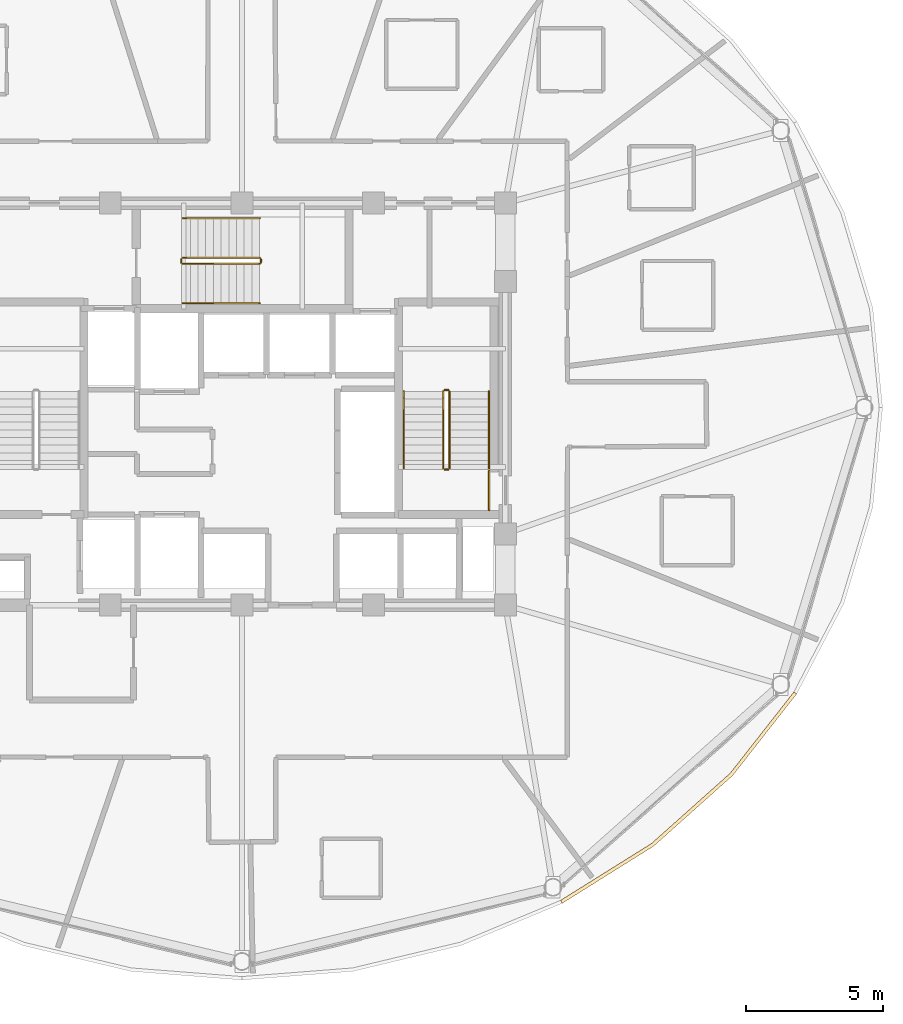
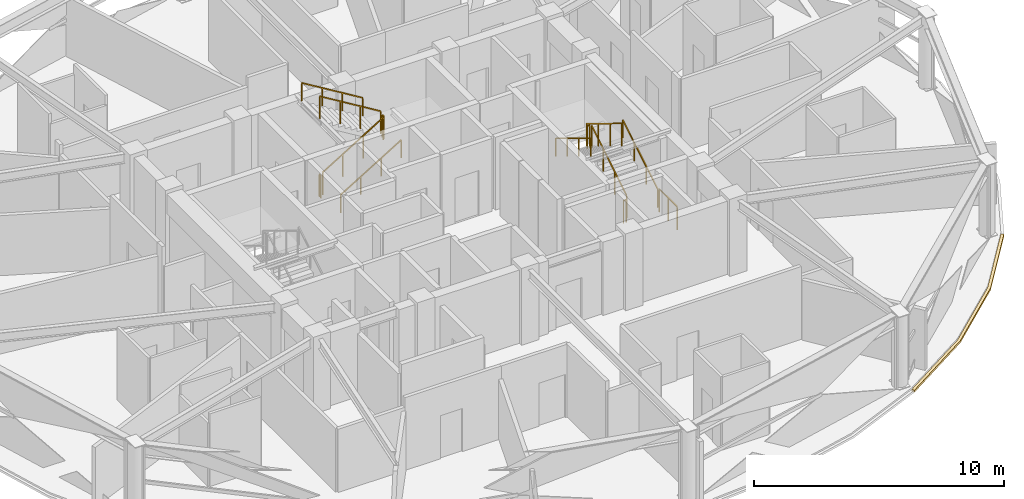
# One storey, part 29 of 30: 13 railings, 1 covering.
"""IFC4 building model written with IfcOpenShell, lengths in metres."""

import ifcopenshell
import ifcopenshell.guid

model = None  # the IFC model being written
_history = None  # IfcOwnerHistory: only IFC2X3 demands one
_inside = {}  # id of a spatial element -> (the spatial element, [elements in it])
_under = {}  # id of a project, library or spatial element -> (it, [spatial elements below it])
_declared = {}  # id of a project -> (the project, [libraries it declares])
_typed = {}  # id of a type object -> (the type object, [elements of that type])
_made_of = {}  # id of a material, layer set ... -> (it, [elements and type objects made of it])


def new_model(schema):
    """Start an empty IFC model of exactly this schema.

    Asked for "IFC4X3", IfcOpenShell would pick the latest addendum, in which some entities
    have other attributes; the version numbers below select the first issue.
    IFC2X3 requires an IfcOwnerHistory on every rooted entity: one is made here for all.
    """
    global model, _history
    if schema == "IFC4X3":
        model = ifcopenshell.file(schema_version=(4, 3, 0, 0))
    else:
        model = ifcopenshell.file(schema=schema)
    _inside.clear()
    _under.clear()
    _declared.clear()
    _typed.clear()
    _made_of.clear()
    _history = None
    if model.schema == "IFC2X3":
        org = make("IfcOrganization", Name="unknown")
        user = make(
            "IfcPersonAndOrganization",
            ThePerson=make("IfcPerson", FamilyName="unknown"),
            TheOrganization=org,
        )
        app = make(
            "IfcApplication",
            ApplicationDeveloper=org,
            Version="unknown",
            ApplicationFullName="unknown",
            ApplicationIdentifier="unknown",
        )
        _history = make(
            "IfcOwnerHistory",
            OwningUser=user,
            OwningApplication=app,
            ChangeAction="ADDED",
            CreationDate=0,
        )
    return model


def make(cls, **values):
    """One entity of the class cls with the attributes given. An attribute that is None is left unset."""
    return model.create_entity(
        cls, **{name: value for name, value in values.items() if value is not None}
    )


def rooted(cls, **values):
    """An entity with a GlobalId (a new one), such as an element, a storey or a relation."""
    return make(cls, GlobalId=ifcopenshell.guid.new(), OwnerHistory=_history, **values)


def si_unit(unit_type, name, prefix=None):
    """IfcSIUnit, for example si_unit("LENGTHUNIT", "METRE", prefix="MILLI")."""
    return make("IfcSIUnit", UnitType=unit_type, Prefix=prefix, Name=name)


def assignment(units):
    """IfcUnitAssignment: the units of a project."""
    return None if units is None else make("IfcUnitAssignment", Units=units)


def point(xyz):
    """IfcCartesianPoint."""
    return None if xyz is None else make("IfcCartesianPoint", Coordinates=xyz)


def direction(xyz):
    """IfcDirection."""
    return None if xyz is None else make("IfcDirection", DirectionRatios=xyz)


def frame(location, z_axis=None, x_axis=None):
    """IfcAxis2Placement3D, a coordinate frame: its origin and axes. An axis left out is left unset."""
    return make(
        "IfcAxis2Placement3D",
        Location=point(location),
        Axis=direction(z_axis),
        RefDirection=direction(x_axis),
    )


def frame_2d(location, x_axis=None):
    """IfcAxis2Placement2D, a coordinate frame in the plane: its origin and x axis."""
    return make(
        "IfcAxis2Placement2D", Location=point(location), RefDirection=direction(x_axis)
    )


def origin():
    """The frame at (0, 0, 0) with its axes left unset."""
    return frame((0.0, 0.0, 0.0))


def origin_2d():
    """The frame at (0, 0) in the plane with its x axis left unset."""
    return frame_2d((0.0, 0.0))


def place(relative_to, where):
    """IfcLocalPlacement: puts the frame where relative to a parent placement (None: the world)."""
    return make(
        "IfcLocalPlacement", PlacementRelTo=relative_to, RelativePlacement=where
    )


def context(
    kind, dimensions, precision=None, world=None, true_north=None, identifier=None
):
    """IfcGeometricRepresentationContext, for example the 3D "Model" context."""
    return make(
        "IfcGeometricRepresentationContext",
        ContextIdentifier=identifier,
        ContextType=kind,
        CoordinateSpaceDimension=dimensions,
        Precision=precision,
        WorldCoordinateSystem=world,
        TrueNorth=true_north,
    )


def subcontext(parent, identifier, kind, view, scale=None):
    """IfcGeometricRepresentationSubContext, for example "Body" below "Model"."""
    return make(
        "IfcGeometricRepresentationSubContext",
        ContextIdentifier=identifier,
        ContextType=kind,
        ParentContext=parent,
        TargetScale=scale,
        TargetView=view,
    )


def project(units=None, contexts=None):
    """IfcProject with its units and contexts."""
    return rooted(
        "IfcProject",
        Name="project",
        RepresentationContexts=contexts,
        UnitsInContext=assignment(units),
    )


def spatial(cls, under=None, at=None, **own):
    """A site, building, storey or space (cls), placed at a placement, below another one or the project."""
    s = rooted(cls, ObjectPlacement=at, **own)
    if under is not None:
        _under.setdefault(under.id(), (under, []))[1].append(s)
    return s


def polyline(points):
    """IfcPolyline through the points."""
    return make("IfcPolyline", Points=[point(p) for p in points])


def profile(cls, at=None, kind="AREA", **sizes):
    """A parametric profile (cls). Its sizes go by their IFC names, for example OverallWidth=200.0."""
    return make(cls, ProfileType=kind, Position=at, **sizes)


def rectangle(**sizes):
    """IfcRectangleProfileDef."""
    return profile("IfcRectangleProfileDef", **sizes)


def outline(outer, holes=None, kind="AREA"):
    """IfcArbitraryClosedProfileDef: a profile drawn as a closed curve; with holes, ...WithVoids."""
    if holes is None:
        return make("IfcArbitraryClosedProfileDef", ProfileType=kind, OuterCurve=outer)
    return make(
        "IfcArbitraryProfileDefWithVoids",
        ProfileType=kind,
        OuterCurve=outer,
        InnerCurves=holes,
    )


def extrude(swept, where, along, depth):
    """IfcExtrudedAreaSolid: the profile swept, set in the frame where, extruded along a direction by depth."""
    return make(
        "IfcExtrudedAreaSolid",
        SweptArea=swept,
        Position=where,
        ExtrudedDirection=direction(along),
        Depth=depth,
    )


def shape(context_of_items, identifier, shape_type, items):
    """IfcShapeRepresentation: the items that make up one representation, for example the "Body"."""
    return make(
        "IfcShapeRepresentation",
        ContextOfItems=context_of_items,
        RepresentationIdentifier=identifier,
        RepresentationType=shape_type,
        Items=items,
    )


def material(Name=None, Category=None):
    """IfcMaterial."""
    return make("IfcMaterial", Name=Name, Category=Category)


def layer(
    of_material, thickness, ventilated=None, Name=None, Category=None, Priority=None
):
    """IfcMaterialLayer: one layer of a wall or slab, of a material (None: an air gap)."""
    return make(
        "IfcMaterialLayer",
        Material=of_material,
        LayerThickness=thickness,
        IsVentilated=ventilated,
        Name=Name,
        Category=Category,
        Priority=Priority,
    )


def layer_set(layers, Name=None):
    """IfcMaterialLayerSet."""
    return make("IfcMaterialLayerSet", MaterialLayers=layers, LayerSetName=Name)


def made_of(thing, what):
    """Note that an element or type object is made of a material, layer set ...; save() writes the relation."""
    if what is not None:
        _made_of.setdefault(what.id(), (what, []))[1].append(thing)
    return thing


def type_object(cls, material=None, **own):
    """A type object (cls), such as IfcWallType, which elements share."""
    return made_of(rooted(cls, **own), material)


def element(
    cls,
    number,
    at=None,
    inside=None,
    cuts=None,
    type_object=None,
    material=None,
    context=None,
    identifier="Body",
    shape_type=None,
    held_by="IfcProductDefinitionShape",
    body=None,
    shapes=None,
    **own,
):
    """One element of the class cls, such as IfcWall. Its Tag is "e" and its number.

    at: its placement. inside: the storey or other place that contains it. cuts: it is an
    opening in that element (IfcRelVoidsElement). A single representation is given by context,
    identifier, shape_type and body (its items); several are given by shapes. held_by: the class
    of the entity that holds the representations. save() writes the other relations.
    """
    e = rooted(cls, Tag="e%d" % number, ObjectPlacement=at, **own)
    if body is not None:
        shapes = [shape(context, identifier, shape_type, body)]
    if shapes is not None:
        e.Representation = make(held_by, Representations=shapes)
    if inside is not None:
        _inside.setdefault(inside.id(), (inside, []))[1].append(e)
    if cuts is not None:
        rooted(
            "IfcRelVoidsElement", RelatingBuildingElement=cuts, RelatedOpeningElement=e
        )
    if type_object is not None:
        _typed.setdefault(type_object.id(), (type_object, []))[1].append(e)
    return made_of(e, material)


def aggregate(whole, parts):
    """IfcRelAggregates: a whole, such as a stair, and the parts it consists of."""
    return rooted("IfcRelAggregates", RelatingObject=whole, RelatedObjects=parts)


def save(model, path):
    """Write the relations noted so far, then the file.

    IfcRelAggregates (storeys below a building ...), IfcRelContainedInSpatialStructure (elements
    in a storey), IfcRelDefinesByType, IfcRelAssociatesMaterial and IfcRelDeclares: one each for
    every whole, place, type object, material and project.
    """
    for whole, parts in _under.values():
        aggregate(whole, parts)
    for where, things in _inside.values():
        rooted(
            "IfcRelContainedInSpatialStructure",
            RelatedElements=things,
            RelatingStructure=where,
        )
    for kind, things in _typed.values():
        rooted("IfcRelDefinesByType", RelatedObjects=things, RelatingType=kind)
    for what, things in _made_of.values():
        rooted("IfcRelAssociatesMaterial", RelatedObjects=things, RelatingMaterial=what)
    for by, libraries in _declared.values():
        rooted("IfcRelDeclares", RelatingContext=by, RelatedDefinitions=libraries)
    model.write(path)


model = new_model("IFC4")

# Units and contexts
model_context = context("Model", 3, precision=1e-05, world=origin(), true_north=direction((0.0, 1.0)))
body_context = subcontext(model_context, "Body", "Model", "MODEL_VIEW")
ifc_project = project(units=[si_unit("LENGTHUNIT", "METRE"), si_unit("AREAUNIT", "SQUARE_METRE"), si_unit("VOLUMEUNIT", "CUBIC_METRE"), si_unit("PLANEANGLEUNIT", "RADIAN"), si_unit("MASSUNIT", "GRAM", prefix="KILO")], contexts=[model_context])

# Site, building, storey
site_placement = place(None, origin())
site = spatial("IfcSite", under=ifc_project, at=site_placement, CompositionType="ELEMENT")
building_placement = place(site_placement, origin())
building = spatial("IfcBuilding", under=site, at=building_placement, Name="Vantalir Tower", CompositionType="ELEMENT")
storey_placement = place(building_placement, frame((0.0, 0.0, 186.14990234375)))
storey = spatial("IfcBuildingStorey", under=building, at=storey_placement, Name="L46", CompositionType="ELEMENT", Elevation=186.14990234375)

# Covering
ifc_material_1 = material(Name="Anodised champagne aluminium sill fascia", Category="aluminium")
ifc_layer = layer(ifc_material_1, 0.125)
ifc_layer_set = layer_set([ifc_layer], Name="Anodised champagne aluminium sill fascia")
covering_type = type_object("IfcCoveringType", Name="COV-SLAB-FASCIA-125", PredefinedType="CLADDING", material=ifc_layer_set)
covering_placement = place(storey_placement, frame((0.0, 0.0, -0.179931640625)))
element("IfcCovering", 1, at=covering_placement, inside=storey, type_object=covering_type, Name="L46 Perimeter Slab-Edge Sill Fascia 11", PredefinedType="CLADDING", context=body_context, shape_type="SweptSolid", body=[
    extrude(outline(polyline([(43.176025390625, 6.931884765625), (46.510009765625, 9.01806640625), (49.387939453125, 11.590087890625), (51.722900390625, 14.568115234375), (51.614013671875, 14.631103515625), (49.2919921875, 11.669921875), (46.428955078125, 9.114013671875), (43.113037109375, 7.0400390625), (43.176025390625, 6.931884765625)])), origin(), (0.0, 0.0, 1.0), 0.10498046875),
])

# Railings
ifc_material_2 = material(Name="Anodised aluminium and stainless steel guard", Category="steel")
railing_type_1 = type_object("IfcRailingType", Name="RAL-GUARD-1120", PredefinedType="GUARDRAIL", material=ifc_material_2)
railing_1_placement = place(storey_placement, frame((39.06005859375, 22.7900390625, 0.170654296875)))
element("IfcRailing", 2, at=railing_1_placement, inside=storey, type_object=railing_type_1, Name="L46 ST2 stair guard 1", PredefinedType="GUARDRAIL", context=body_context, shape_type="SweptSolid", body=[
    extrude(rectangle(XDim=0.048095703125, YDim=0.048095703125, at=origin_2d()), frame((0.0, 0.0, 1.09619140625), z_axis=(0.0, 0.854202870247, 0.519939858505), x_axis=(-1.0, 0.0, 0.0)), (0.0, 0.0, 1.0), 3.278076171875),
    extrude(rectangle(XDim=0.0419921875, YDim=0.0419921875, at=origin_2d()), origin(), (0.0, 0.0, 1.0), 1.072021484375),
    extrude(rectangle(XDim=0.0419921875, YDim=0.0419921875, at=origin_2d()), frame((0.0, 0.933349609375, 0.568115234375)), (0.0, 0.0, 1.0), 1.072021484375),
    extrude(rectangle(XDim=0.0419921875, YDim=0.0419921875, at=origin_2d()), frame((0.0, 1.86669921875, 1.13623046875)), (0.0, 0.0, 1.0), 1.072021484375),
    extrude(rectangle(XDim=0.0419921875, YDim=0.0419921875, at=origin_2d()), frame((0.0, 2.800048828125, 1.704345703125)), (0.0, 0.0, 1.0), 1.072021484375),
])
railing_2_placement = place(storey_placement, frame((39.010009765625, 25.639892578125, 1.875)))
element("IfcRailing", 3, at=railing_2_placement, inside=storey, type_object=railing_type_1, Name="L46 ST2 stair guard 2", PredefinedType="GUARDRAIL", context=body_context, shape_type="SweptSolid", body=[
    extrude(rectangle(XDim=0.048095703125, YDim=0.048095703125, at=origin_2d()), frame((0.0, 0.0, 1.09619140625), z_axis=(-1.0, 0.0, 0.0), x_axis=(0.0, -1.0, 0.0)), (0.0, 0.0, 1.0), 0.1201171875),
    extrude(rectangle(XDim=0.0419921875, YDim=0.0419921875, at=origin_2d()), origin(), (0.0, 0.0, 1.0), 1.072021484375),
    extrude(rectangle(XDim=0.0419921875, YDim=0.0419921875, at=origin_2d()), frame((-0.1201171875, 0.0, 0.0)), (0.0, 0.0, 1.0), 1.072021484375),
])
railing_3_placement = place(storey_placement, frame((38.840087890625, 25.590087890625, 2.045654296875)))
element("IfcRailing", 4, at=railing_3_placement, inside=storey, type_object=railing_type_1, Name="L46 ST2 stair guard 3", PredefinedType="GUARDRAIL", context=body_context, shape_type="SweptSolid", body=[
    extrude(rectangle(XDim=0.048095703125, YDim=0.048095703125, at=origin_2d()), frame((0.0, 0.0, 1.09619140625), z_axis=(0.0, -0.854202870247, 0.519939858505), x_axis=(1.0, 0.0, 0.0)), (0.0, 0.0, 1.0), 3.278076171875),
    extrude(rectangle(XDim=0.0419921875, YDim=0.0419921875, at=origin_2d()), origin(), (0.0, 0.0, 1.0), 1.072021484375),
    extrude(rectangle(XDim=0.0419921875, YDim=0.0419921875, at=origin_2d()), frame((0.0, -0.933349609375, 0.568115234375)), (0.0, 0.0, 1.0), 1.072021484375),
    extrude(rectangle(XDim=0.0419921875, YDim=0.0419921875, at=origin_2d()), frame((0.0, -1.86669921875, 1.13623046875)), (0.0, 0.0, 1.0), 1.072021484375),
    extrude(rectangle(XDim=0.0419921875, YDim=0.0419921875, at=origin_2d()), frame((0.0, -2.800048828125, 1.704345703125)), (0.0, 0.0, 1.0), 1.072021484375),
])
railing_4_placement = place(storey_placement, frame((39.010009765625, 22.739990234375, 0.0)))
element("IfcRailing", 5, at=railing_4_placement, inside=storey, type_object=railing_type_1, Name="L46 ST2 stair guard 4", PredefinedType="GUARDRAIL", context=body_context, shape_type="SweptSolid", body=[
    extrude(rectangle(XDim=0.048095703125, YDim=0.048095703125, at=origin_2d()), frame((0.0, 0.0, 1.09619140625), z_axis=(-1.0, 0.0, 0.0), x_axis=(0.0, -1.0, 0.0)), (0.0, 0.0, 1.0), 0.1201171875),
    extrude(rectangle(XDim=0.0419921875, YDim=0.0419921875, at=origin_2d()), origin(), (0.0, 0.0, 1.0), 1.072021484375),
    extrude(rectangle(XDim=0.0419921875, YDim=0.0419921875, at=origin_2d()), frame((-0.1201171875, 0.0, 0.0)), (0.0, 0.0, 1.0), 1.072021484375),
])
railing_5_placement = place(storey_placement, frame((29.340087890625, 30.239990234375, 0.170654296875)))
element("IfcRailing", 6, at=railing_5_placement, inside=storey, type_object=railing_type_1, Name="L46 ST3 stair guard 1", PredefinedType="GUARDRAIL", context=body_context, shape_type="SweptSolid", body=[
    extrude(rectangle(XDim=0.048095703125, YDim=0.048095703125, at=origin_2d()), frame((0.0, 0.0, 1.09619140625), z_axis=(0.854182733786, 0.0, 0.519972939009), x_axis=(0.0, 1.0, 0.0)), (0.0, 0.0, 1.0), 3.27783203125),
    extrude(rectangle(XDim=0.0419921875, YDim=0.0419921875, at=origin_2d()), origin(), (0.0, 0.0, 1.0), 1.072021484375),
    extrude(rectangle(XDim=0.0419921875, YDim=0.0419921875, at=origin_2d()), frame((0.933349609375, 0.0, 0.568115234375)), (0.0, 0.0, 1.0), 1.072021484375),
    extrude(rectangle(XDim=0.0419921875, YDim=0.0419921875, at=origin_2d()), frame((1.866455078125, 0.0, 1.13623046875)), (0.0, 0.0, 1.0), 1.072021484375),
    extrude(rectangle(XDim=0.0419921875, YDim=0.0419921875, at=origin_2d()), frame((2.7998046875, 0.0, 1.704345703125)), (0.0, 0.0, 1.0), 1.072021484375),
])
railing_6_placement = place(storey_placement, frame((32.18994140625, 30.2900390625, 1.875)))
element("IfcRailing", 7, at=railing_6_placement, inside=storey, type_object=railing_type_1, Name="L46 ST3 stair guard 2", PredefinedType="GUARDRAIL", context=body_context, shape_type="SweptSolid", body=[
    extrude(rectangle(XDim=0.048095703125, YDim=0.048095703125, at=origin_2d()), frame((0.0, 0.0, 1.09619140625), z_axis=(0.0, 1.0, 0.0), x_axis=(-1.0, 0.0, 0.0)), (0.0, 0.0, 1.0), 0.119873046875),
    extrude(rectangle(XDim=0.0419921875, YDim=0.0419921875, at=origin_2d()), origin(), (0.0, 0.0, 1.0), 1.072021484375),
    extrude(rectangle(XDim=0.0419921875, YDim=0.0419921875, at=origin_2d()), frame((0.0, 0.119873046875, 0.0)), (0.0, 0.0, 1.0), 1.072021484375),
])
railing_7_placement = place(storey_placement, frame((32.139892578125, 30.4599609375, 2.045654296875)))
element("IfcRailing", 8, at=railing_7_placement, inside=storey, type_object=railing_type_1, Name="L46 ST3 stair guard 3", PredefinedType="GUARDRAIL", context=body_context, shape_type="SweptSolid", body=[
    extrude(rectangle(XDim=0.048095703125, YDim=0.048095703125, at=origin_2d()), frame((0.0, 0.0, 1.09619140625), z_axis=(-0.854182733786, 0.0, 0.519972939009), x_axis=(0.0, -1.0, 0.0)), (0.0, 0.0, 1.0), 3.27783203125),
    extrude(rectangle(XDim=0.0419921875, YDim=0.0419921875, at=origin_2d()), origin(), (0.0, 0.0, 1.0), 1.072021484375),
    extrude(rectangle(XDim=0.0419921875, YDim=0.0419921875, at=origin_2d()), frame((-0.933349609375, 0.0, 0.568115234375)), (0.0, 0.0, 1.0), 1.072021484375),
    extrude(rectangle(XDim=0.0419921875, YDim=0.0419921875, at=origin_2d()), frame((-1.866455078125, 0.0, 1.13623046875)), (0.0, 0.0, 1.0), 1.072021484375),
    extrude(rectangle(XDim=0.0419921875, YDim=0.0419921875, at=origin_2d()), frame((-2.7998046875, 0.0, 1.704345703125)), (0.0, 0.0, 1.0), 1.072021484375),
])
railing_8_placement = place(storey_placement, frame((29.2900390625, 30.2900390625, 0.0)))
element("IfcRailing", 9, at=railing_8_placement, inside=storey, type_object=railing_type_1, Name="L46 ST3 stair guard 4", PredefinedType="GUARDRAIL", context=body_context, shape_type="SweptSolid", body=[
    extrude(rectangle(XDim=0.048095703125, YDim=0.048095703125, at=origin_2d()), frame((0.0, 0.0, 1.09619140625), z_axis=(0.0, 1.0, 0.0), x_axis=(-1.0, 0.0, 0.0)), (0.0, 0.0, 1.0), 0.119873046875),
    extrude(rectangle(XDim=0.0419921875, YDim=0.0419921875, at=origin_2d()), origin(), (0.0, 0.0, 1.0), 1.072021484375),
    extrude(rectangle(XDim=0.0419921875, YDim=0.0419921875, at=origin_2d()), frame((0.0, 0.119873046875, 0.0)), (0.0, 0.0, 1.0), 1.072021484375),
])
railing_9_placement = place(storey_placement, frame((40.510009765625, 21.260009765625, 0.0)))
element("IfcRailing", 10, at=railing_9_placement, inside=storey, type_object=railing_type_1, Name="L46 Stair ST2 Doorway Landing Guard", PredefinedType="GUARDRAIL", context=body_context, shape_type="SweptSolid", body=[
    extrude(rectangle(XDim=0.048095703125, YDim=0.048095703125, at=origin_2d()), frame((0.0, 0.0, 1.1259765625), z_axis=(0.0, 1.0, 0.0), x_axis=(-1.0, 0.0, 0.0)), (0.0, 0.0, 1.0), 1.43994140625),
    extrude(rectangle(XDim=0.0419921875, YDim=0.0419921875, at=origin_2d()), origin(), (0.0, 0.0, 1.0), 1.101806640625),
    extrude(rectangle(XDim=0.0419921875, YDim=0.0419921875, at=origin_2d()), frame((0.0, 0.719970703125, 0.0)), (0.0, 0.0, 1.0), 1.101806640625),
    extrude(rectangle(XDim=0.0419921875, YDim=0.0419921875, at=origin_2d()), frame((0.0, 1.43994140625, 0.0)), (0.0, 0.0, 1.0), 1.101806640625),
])
ifc_material_3 = material(Name="Brushed stainless steel tubular handrail", Category="steel")
railing_type_2 = type_object("IfcRailingType", Name="RAL-HANDRAIL-900", PredefinedType="HANDRAIL", material=ifc_material_3)
railing_10_placement = place(storey_placement, frame((40.5, 22.7900390625, 0.170654296875)))
element("IfcRailing", 11, at=railing_10_placement, inside=storey, type_object=railing_type_2, Name="L46 ST2 stair handrail 1", PredefinedType="HANDRAIL", context=body_context, shape_type="SweptSolid", body=[
    extrude(rectangle(XDim=0.048095703125, YDim=0.048095703125, at=origin_2d()), frame((0.0, 0.0, 0.8759765625), z_axis=(0.0, 0.854202870247, 0.519939858505), x_axis=(-1.0, 0.0, 0.0)), (0.0, 0.0, 1.0), 3.278076171875),
    extrude(rectangle(XDim=0.0419921875, YDim=0.0419921875, at=origin_2d()), origin(), (0.0, 0.0, 1.0), 0.851806640625),
    extrude(rectangle(XDim=0.0419921875, YDim=0.0419921875, at=origin_2d()), frame((0.0, 0.933349609375, 0.568115234375)), (0.0, 0.0, 1.0), 0.851806640625),
    extrude(rectangle(XDim=0.0419921875, YDim=0.0419921875, at=origin_2d()), frame((0.0, 1.86669921875, 1.13623046875)), (0.0, 0.0, 1.0), 0.851806640625),
    extrude(rectangle(XDim=0.0419921875, YDim=0.0419921875, at=origin_2d()), frame((0.0, 2.800048828125, 1.704345703125)), (0.0, 0.0, 1.0), 0.851806640625),
])
railing_11_placement = place(storey_placement, frame((37.39990234375, 25.590087890625, 2.045654296875)))
element("IfcRailing", 12, at=railing_11_placement, inside=storey, type_object=railing_type_2, Name="L46 ST2 stair handrail 2", PredefinedType="HANDRAIL", context=body_context, shape_type="SweptSolid", body=[
    extrude(rectangle(XDim=0.048095703125, YDim=0.048095703125, at=origin_2d()), frame((0.0, 0.0, 0.8759765625), z_axis=(0.0, -0.854202870247, 0.519939858505), x_axis=(1.0, 0.0, 0.0)), (0.0, 0.0, 1.0), 3.278076171875),
    extrude(rectangle(XDim=0.0419921875, YDim=0.0419921875, at=origin_2d()), origin(), (0.0, 0.0, 1.0), 0.851806640625),
    extrude(rectangle(XDim=0.0419921875, YDim=0.0419921875, at=origin_2d()), frame((0.0, -0.933349609375, 0.568115234375)), (0.0, 0.0, 1.0), 0.851806640625),
    extrude(rectangle(XDim=0.0419921875, YDim=0.0419921875, at=origin_2d()), frame((0.0, -1.86669921875, 1.13623046875)), (0.0, 0.0, 1.0), 0.851806640625),
    extrude(rectangle(XDim=0.0419921875, YDim=0.0419921875, at=origin_2d()), frame((0.0, -2.800048828125, 1.704345703125)), (0.0, 0.0, 1.0), 0.851806640625),
])
railing_12_placement = place(storey_placement, frame((29.340087890625, 28.800048828125, 0.170654296875)))
element("IfcRailing", 13, at=railing_12_placement, inside=storey, type_object=railing_type_2, Name="L46 ST3 stair handrail 1", PredefinedType="HANDRAIL", context=body_context, shape_type="SweptSolid", body=[
    extrude(rectangle(XDim=0.048095703125, YDim=0.048095703125, at=origin_2d()), frame((0.0, 0.0, 0.8759765625), z_axis=(0.854182733786, 0.0, 0.519972939009), x_axis=(0.0, 1.0, 0.0)), (0.0, 0.0, 1.0), 3.27783203125),
    extrude(rectangle(XDim=0.0419921875, YDim=0.0419921875, at=origin_2d()), origin(), (0.0, 0.0, 1.0), 0.851806640625),
    extrude(rectangle(XDim=0.0419921875, YDim=0.0419921875, at=origin_2d()), frame((0.933349609375, 0.0, 0.568115234375)), (0.0, 0.0, 1.0), 0.851806640625),
    extrude(rectangle(XDim=0.0419921875, YDim=0.0419921875, at=origin_2d()), frame((1.866455078125, 0.0, 1.13623046875)), (0.0, 0.0, 1.0), 0.851806640625),
    extrude(rectangle(XDim=0.0419921875, YDim=0.0419921875, at=origin_2d()), frame((2.7998046875, 0.0, 1.704345703125)), (0.0, 0.0, 1.0), 0.851806640625),
])
railing_13_placement = place(storey_placement, frame((32.139892578125, 31.89990234375, 2.045654296875)))
element("IfcRailing", 14, at=railing_13_placement, inside=storey, type_object=railing_type_2, Name="L46 ST3 stair handrail 2", PredefinedType="HANDRAIL", context=body_context, shape_type="SweptSolid", body=[
    extrude(rectangle(XDim=0.048095703125, YDim=0.048095703125, at=origin_2d()), frame((0.0, 0.0, 0.8759765625), z_axis=(-0.854182733786, 0.0, 0.519972939009), x_axis=(0.0, -1.0, 0.0)), (0.0, 0.0, 1.0), 3.27783203125),
    extrude(rectangle(XDim=0.0419921875, YDim=0.0419921875, at=origin_2d()), origin(), (0.0, 0.0, 1.0), 0.851806640625),
    extrude(rectangle(XDim=0.0419921875, YDim=0.0419921875, at=origin_2d()), frame((-0.933349609375, 0.0, 0.568115234375)), (0.0, 0.0, 1.0), 0.851806640625),
    extrude(rectangle(XDim=0.0419921875, YDim=0.0419921875, at=origin_2d()), frame((-1.866455078125, 0.0, 1.13623046875)), (0.0, 0.0, 1.0), 0.851806640625),
    extrude(rectangle(XDim=0.0419921875, YDim=0.0419921875, at=origin_2d()), frame((-2.7998046875, 0.0, 1.704345703125)), (0.0, 0.0, 1.0), 0.851806640625),
])

save(model, "model.ifc")
